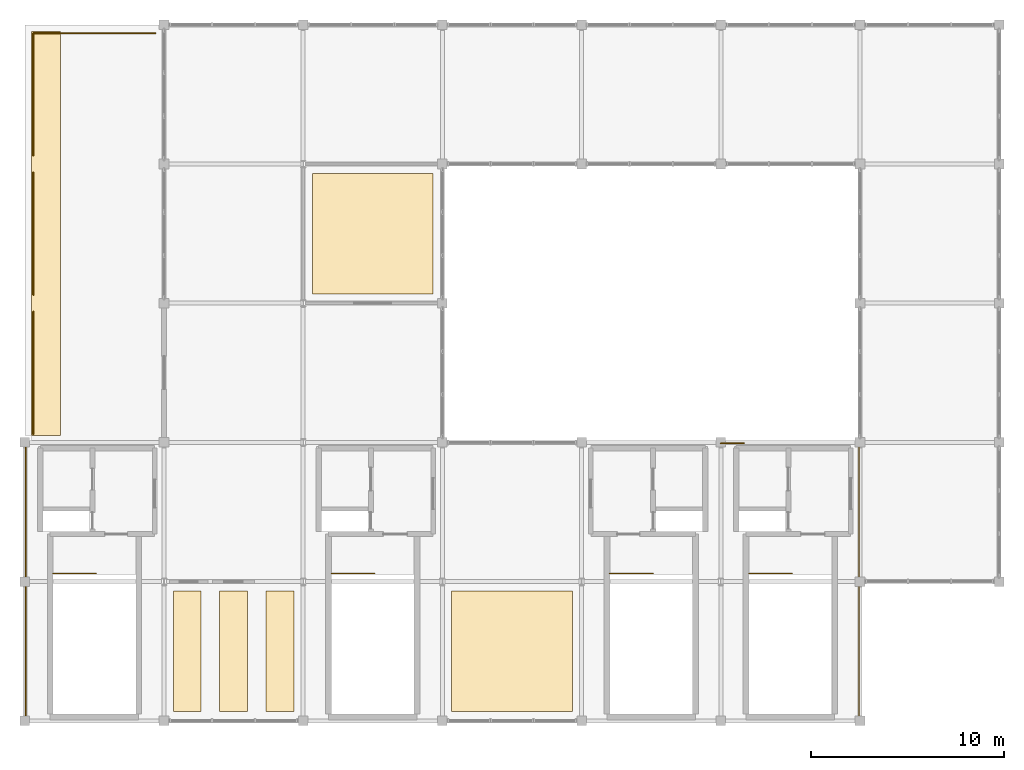
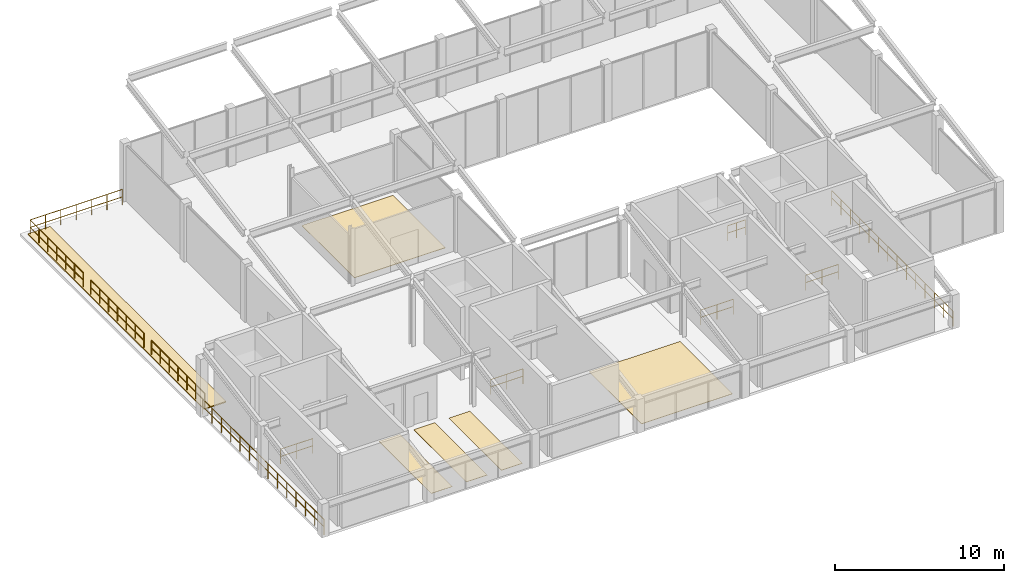
# One storey, part 16 of 16: 11 railings, 6 coverings.
"""IFC4 building model written with IfcOpenShell, lengths in metres."""

from ifc_helpers import new_model, si_unit, direction, frame, origin, origin_2d, place, context, subcontext, project, spatial, polyline, circle, outline, extrude, material, layer, layer_set, type_object, element, save


model = new_model("IFC4")

# Units and contexts
model_context = context("Model", 3, precision=1e-05, world=origin(), true_north=direction((0.0, 1.0)))
body_context = subcontext(model_context, "Body", "Model", "MODEL_VIEW")
ifc_project = project(units=[si_unit("LENGTHUNIT", "METRE"), si_unit("AREAUNIT", "SQUARE_METRE"), si_unit("VOLUMEUNIT", "CUBIC_METRE"), si_unit("PLANEANGLEUNIT", "RADIAN"), si_unit("MASSUNIT", "GRAM", prefix="KILO")], contexts=[model_context])

# Site, building, storey
site_placement = place(None, origin())
site = spatial("IfcSite", under=ifc_project, at=site_placement, CompositionType="ELEMENT")
building_placement = place(site_placement, origin())
building = spatial("IfcBuilding", under=site, at=building_placement, Name="Sillqori Civic Hall", CompositionType="ELEMENT")
storey_placement = place(building_placement, frame((0.0, 0.0, 25.800048828125)))
storey = spatial("IfcBuildingStorey", under=building, at=storey_placement, Name="L07", CompositionType="ELEMENT", Elevation=25.800048828125)

# Coverings
ifc_material_1 = material(Name="Slip-Resistant R11 Porcelain Tile", Category="ceramic")
ifc_layer_1 = layer(ifc_material_1, 0.02001953125)
ifc_layer_set_1 = layer_set([ifc_layer_1], Name="Slip-Resistant R11 Porcelain Tile")
covering_type_1 = type_object("IfcCoveringType", Name="COV-FLR-POR", PredefinedType="FLOORING", material=ifc_layer_set_1)
covering_1_placement = place(storey_placement, origin())
element("IfcCovering", 1, at=covering_1_placement, inside=storey, type_object=covering_type_1, Name="L07 Public Male WC floor finish", PredefinedType="FLOORING", context=body_context, shape_type="SweptSolid", body=[
    extrude(outline(polyline([(58.080078125, 79.679931640625), (59.52001953125, 79.679931640625), (59.52001953125, 85.919921875), (58.080078125, 85.919921875), (58.080078125, 79.679931640625)])), origin(), (0.0, 0.0, 1.0), 0.02001953125),
])
covering_2_placement = place(storey_placement, origin())
element("IfcCovering", 2, at=covering_2_placement, inside=storey, type_object=covering_type_1, Name="L07 Public Female WC floor finish", PredefinedType="FLOORING", context=body_context, shape_type="SweptSolid", body=[
    extrude(outline(polyline([(60.47998046875, 79.679931640625), (61.919921875, 79.679931640625), (61.919921875, 85.919921875), (60.47998046875, 85.919921875), (60.47998046875, 79.679931640625)])), origin(), (0.0, 0.0, 1.0), 0.02001953125),
])
covering_3_placement = place(storey_placement, origin())
element("IfcCovering", 3, at=covering_3_placement, inside=storey, type_object=covering_type_1, Name="L07 Accessible WC floor finish", PredefinedType="FLOORING", context=body_context, shape_type="SweptSolid", body=[
    extrude(outline(polyline([(62.8798828125, 79.679931640625), (64.320068359375, 79.679931640625), (64.320068359375, 85.919921875), (62.8798828125, 85.919921875), (62.8798828125, 79.679931640625)])), origin(), (0.0, 0.0, 1.0), 0.02001953125),
])
ifc_material_2 = material(Name="Engineered Tajibo Hardwood Flooring", Category="wood")
ifc_layer_2 = layer(ifc_material_2, 0.02587890625)
ifc_layer_set_2 = layer_set([ifc_layer_2], Name="Engineered Tajibo Hardwood Flooring")
covering_type_2 = type_object("IfcCoveringType", Name="COV-FLR-PRQ", PredefinedType="FLOORING", material=ifc_layer_set_2)
covering_4_placement = place(storey_placement, origin())
element("IfcCovering", 4, at=covering_4_placement, inside=storey, type_object=covering_type_2, Name="Municipal Emergency Situation Room floor finish", PredefinedType="FLOORING", context=body_context, shape_type="SweptSolid", body=[
    extrude(outline(polyline([(72.47998046875, 79.679931640625), (78.719970703125, 79.679931640625), (78.719970703125, 85.919921875), (72.47998046875, 85.919921875), (72.47998046875, 79.679931640625)])), origin(), (0.0, 0.0, 1.0), 0.02587890625),
])
ifc_material_3 = material(Name="Honed Cochabamba Limestone Terrazzo", Category="masonry")
ifc_layer_3 = layer(ifc_material_3, 0.031982421875)
ifc_layer_set_3 = layer_set([ifc_layer_3], Name="Honed Cochabamba Limestone Terrazzo")
covering_type_3 = type_object("IfcCoveringType", Name="COV-FLR-TRZ", PredefinedType="FLOORING", material=ifc_layer_set_3)
covering_5_placement = place(storey_placement, origin())
element("IfcCovering", 5, at=covering_5_placement, inside=storey, type_object=covering_type_3, Name="Civic Observatory Panorama Gallery floor finish", PredefinedType="FLOORING", context=body_context, shape_type="SweptSolid", body=[
    extrude(outline(polyline([(65.280029296875, 101.280029296875), (71.52001953125, 101.280029296875), (71.52001953125, 107.52001953125), (65.280029296875, 107.52001953125), (65.280029296875, 101.280029296875)])), origin(), (0.0, 0.0, 1.0), 0.031982421875),
])
ifc_material_4 = material(Name="Extensive Andean Sedum Roof Substrate", Category="earth")
ifc_layer_4 = layer(ifc_material_4, 0.080078125)
ifc_layer_set_4 = layer_set([ifc_layer_4], Name="Extensive Andean Sedum Roof Substrate")
covering_type_4 = type_object("IfcCoveringType", Name="COV-ROOF-GRN", PredefinedType="ROOFING", material=ifc_layer_set_4)
covering_6_placement = place(storey_placement, origin())
element("IfcCovering", 6, at=covering_6_placement, inside=storey, type_object=covering_type_4, Name="Observatory West Setback Terrace planted planter bed", PredefinedType="ROOFING", context=body_context, shape_type="SweptSolid", body=[
    extrude(outline(polyline([(50.75, 93.949951171875), (52.25, 93.949951171875), (52.25, 114.85009765625), (50.75, 114.85009765625), (50.75, 93.949951171875)])), origin(), (0.0, 0.0, 1.0), 0.079833984375),
])

# Railings
ifc_material_5 = material(Name="Galvanized Painted Steel Guardrail", Category="steel")
ifc_layer_5 = layer(ifc_material_5, 0.050048828125)
ifc_layer_set_5 = layer_set([ifc_layer_5], Name="Galvanized Painted Steel Guardrail")
railing_type_1 = type_object("IfcRailingType", Name="RLG-CORE-110", PredefinedType="GUARDRAIL", material=ifc_layer_set_5)
for number, where, name in (
    (7, (51.860107421875, 86.820068359375, 0.0), "L07 ST-05 top well guard 1"),
    (8, (66.260009765625, 86.820068359375, 0.0), "L07 ST-06 top well guard 1"),
    (9, (80.659912109375, 86.820068359375, 0.0), "L07 ST-07 top well guard 1"),
    (10, (87.860107421875, 86.820068359375, 0.0), "L07 ST-08 top well guard 1"),
):
    element("IfcRailing", number, at=place(storey_placement, frame(where)), inside=storey, type_object=railing_type_1, Name=name, PredefinedType="GUARDRAIL", context=body_context, shape_type="SweptSolid", body=[
        extrude(circle(Radius=0.02392578125, at=origin_2d()), frame((0.0, 0.0, 1.076171875), z_axis=(1.0, 0.0, 0.0), x_axis=(0.0, 1.0, 0.0)), (0.0, 0.0, 1.0), 2.219970703125),
        extrude(circle(Radius=0.02392578125, at=origin_2d()), frame((0.0, 0.0, 0.550048828125), z_axis=(1.0, 0.0, 0.0), x_axis=(0.0, 1.0, 0.0)), (0.0, 0.0, 1.0), 2.219970703125),
        extrude(circle(Radius=0.02099609375, at=origin_2d()), origin(), (0.0, 0.0, 1.0), 1.052001953125),
        extrude(circle(Radius=0.02099609375, at=origin_2d()), frame((1.10986328125, 0.0, 0.0)), (0.0, 0.0, 1.0), 1.052001953125),
        extrude(circle(Radius=0.02099609375, at=origin_2d()), frame((2.219970703125, 0.0, 0.0)), (0.0, 0.0, 1.0), 1.052001953125),
    ])
ifc_material_6 = material(Name="Stainless Steel 316 and Laminated Balustrade", Category="steel")
ifc_layer_6 = layer(ifc_material_6, 0.06005859375)
ifc_layer_set_6 = layer_set([ifc_layer_6], Name="Stainless Steel 316 and Laminated Balustrade")
railing_type_2 = type_object("IfcRailingType", Name="RLG-TERR-112", PredefinedType="GUARDRAIL", material=ifc_layer_set_6)
railing_1_placement = place(storey_placement, frame((50.840087890625, 114.760009765625, 0.0)))
element("IfcRailing", 11, at=railing_1_placement, inside=storey, type_object=railing_type_2, Name="Observatory West Setback Terrace perimeter guard N-01", PredefinedType="GUARDRAIL", context=body_context, shape_type="SweptSolid", body=[
    extrude(circle(Radius=0.02392578125, at=origin_2d()), frame((0.0, 0.0, 1.09619140625), z_axis=(1.0, 0.0, 0.0), x_axis=(0.0, 1.0, 0.0)), (0.0, 0.0, 1.0), 6.31982421875),
    extrude(circle(Radius=0.02392578125, at=origin_2d()), frame((0.0, 0.0, 0.56005859375), z_axis=(1.0, 0.0, 0.0), x_axis=(0.0, 1.0, 0.0)), (0.0, 0.0, 1.0), 6.31982421875),
    extrude(circle(Radius=0.02099609375, at=origin_2d()), origin(), (0.0, 0.0, 1.0), 1.072021484375),
    extrude(circle(Radius=0.02099609375, at=origin_2d()), frame((1.05322265625, 0.0, 0.0)), (0.0, 0.0, 1.0), 1.072021484375),
    extrude(circle(Radius=0.02099609375, at=origin_2d()), frame((2.106689453125, 0.0, 0.0)), (0.0, 0.0, 1.0), 1.072021484375),
    extrude(circle(Radius=0.02099609375, at=origin_2d()), frame((3.159912109375, 0.0, 0.0)), (0.0, 0.0, 1.0), 1.072021484375),
    extrude(circle(Radius=0.02099609375, at=origin_2d()), frame((4.213134765625, 0.0, 0.0)), (0.0, 0.0, 1.0), 1.072021484375),
    extrude(circle(Radius=0.02099609375, at=origin_2d()), frame((5.2666015625, 0.0, 0.0)), (0.0, 0.0, 1.0), 1.072021484375),
    extrude(circle(Radius=0.02099609375, at=origin_2d()), frame((6.31982421875, 0.0, 0.0)), (0.0, 0.0, 1.0), 1.072021484375),
])
for number, where, name in (
    (12, (50.840087890625, 94.0400390625, 0.0), "Observatory West Setback Terrace perimeter guard W-02"),
    (13, (50.840087890625, 101.239990234375, 0.0), "Observatory West Setback Terrace perimeter guard W-03"),
    (14, (50.840087890625, 108.43994140625, 0.0), "Observatory West Setback Terrace perimeter guard W-04"),
):
    element("IfcRailing", number, at=place(storey_placement, frame(where)), inside=storey, type_object=railing_type_2, Name=name, PredefinedType="GUARDRAIL", context=body_context, shape_type="SweptSolid", body=[
        extrude(circle(Radius=0.02392578125, at=origin_2d()), frame((0.0, 0.0, 1.09619140625), z_axis=(0.0, 1.0, 0.0), x_axis=(-1.0, 0.0, 0.0)), (0.0, 0.0, 1.0), 6.320068359375),
        extrude(circle(Radius=0.02392578125, at=origin_2d()), frame((0.0, 0.0, 0.56005859375), z_axis=(0.0, 1.0, 0.0), x_axis=(-1.0, 0.0, 0.0)), (0.0, 0.0, 1.0), 6.320068359375),
        extrude(circle(Radius=0.02099609375, at=origin_2d()), origin(), (0.0, 0.0, 1.0), 1.072021484375),
        extrude(circle(Radius=0.02099609375, at=origin_2d()), frame((0.0, 1.05322265625, 0.0)), (0.0, 0.0, 1.0), 1.072021484375),
        extrude(circle(Radius=0.02099609375, at=origin_2d()), frame((0.0, 2.106689453125, 0.0)), (0.0, 0.0, 1.0), 1.072021484375),
        extrude(circle(Radius=0.02099609375, at=origin_2d()), frame((0.0, 3.16015625, 0.0)), (0.0, 0.0, 1.0), 1.072021484375),
        extrude(circle(Radius=0.02099609375, at=origin_2d()), frame((0.0, 4.21337890625, 0.0)), (0.0, 0.0, 1.0), 1.072021484375),
        extrude(circle(Radius=0.02099609375, at=origin_2d()), frame((0.0, 5.2666015625, 0.0)), (0.0, 0.0, 1.0), 1.072021484375),
        extrude(circle(Radius=0.02099609375, at=origin_2d()), frame((0.0, 6.320068359375, 0.0)), (0.0, 0.0, 1.0), 1.072021484375),
    ])
railing_2_placement = place(storey_placement, frame((50.449951171875, 79.199951171875, 0.0)))
element("IfcRailing", 15, at=railing_2_placement, inside=storey, type_object=railing_type_2, Name="L07 west core C5 perimeter guardrail", PredefinedType="GUARDRAIL", context=body_context, shape_type="SweptSolid", body=[
    extrude(circle(Radius=0.02392578125, at=origin_2d()), frame((0.0, 0.0, 1.09619140625), z_axis=(0.0, 1.0, 0.0), x_axis=(-1.0, 0.0, 0.0)), (0.0, 0.0, 1.0), 14.400146484375),
    extrude(circle(Radius=0.02392578125, at=origin_2d()), frame((0.0, 0.0, 0.56005859375), z_axis=(0.0, 1.0, 0.0), x_axis=(-1.0, 0.0, 0.0)), (0.0, 0.0, 1.0), 14.400146484375),
    extrude(circle(Radius=0.02099609375, at=origin_2d()), origin(), (0.0, 0.0, 1.0), 1.072021484375),
    extrude(circle(Radius=0.02099609375, at=origin_2d()), frame((0.0, 1.107666015625, 0.0)), (0.0, 0.0, 1.0), 1.072021484375),
    extrude(circle(Radius=0.02099609375, at=origin_2d()), frame((0.0, 2.21533203125, 0.0)), (0.0, 0.0, 1.0), 1.072021484375),
    extrude(circle(Radius=0.02099609375, at=origin_2d()), frame((0.0, 3.322998046875, 0.0)), (0.0, 0.0, 1.0), 1.072021484375),
    extrude(circle(Radius=0.02099609375, at=origin_2d()), frame((0.0, 4.430908203125, 0.0)), (0.0, 0.0, 1.0), 1.072021484375),
    extrude(circle(Radius=0.02099609375, at=origin_2d()), frame((0.0, 5.53857421875, 0.0)), (0.0, 0.0, 1.0), 1.072021484375),
    extrude(circle(Radius=0.02099609375, at=origin_2d()), frame((0.0, 6.646240234375, 0.0)), (0.0, 0.0, 1.0), 1.072021484375),
    extrude(circle(Radius=0.02099609375, at=origin_2d()), frame((0.0, 7.75390625, 0.0)), (0.0, 0.0, 1.0), 1.072021484375),
    extrude(circle(Radius=0.02099609375, at=origin_2d()), frame((0.0, 8.861572265625, 0.0)), (0.0, 0.0, 1.0), 1.072021484375),
    extrude(circle(Radius=0.02099609375, at=origin_2d()), frame((0.0, 9.96923828125, 0.0)), (0.0, 0.0, 1.0), 1.072021484375),
    extrude(circle(Radius=0.02099609375, at=origin_2d()), frame((0.0, 11.0771484375, 0.0)), (0.0, 0.0, 1.0), 1.072021484375),
    extrude(circle(Radius=0.02099609375, at=origin_2d()), frame((0.0, 12.184814453125, 0.0)), (0.0, 0.0, 1.0), 1.072021484375),
    extrude(circle(Radius=0.02099609375, at=origin_2d()), frame((0.0, 13.29248046875, 0.0)), (0.0, 0.0, 1.0), 1.072021484375),
    extrude(circle(Radius=0.02099609375, at=origin_2d()), frame((0.0, 14.400146484375, 0.0)), (0.0, 0.0, 1.0), 1.072021484375),
])
railing_3_placement = place(storey_placement, frame((93.550048828125, 79.199951171875, 0.0)))
element("IfcRailing", 16, at=railing_3_placement, inside=storey, type_object=railing_type_2, Name="L07 east core C8 perimeter guardrail", PredefinedType="GUARDRAIL", context=body_context, shape_type="SweptSolid", body=[
    extrude(circle(Radius=0.02392578125, at=origin_2d()), frame((0.0, 0.0, 1.09619140625), z_axis=(0.0, 1.0, 0.0), x_axis=(-1.0, 0.0, 0.0)), (0.0, 0.0, 1.0), 14.400146484375),
    extrude(circle(Radius=0.02392578125, at=origin_2d()), frame((0.0, 0.0, 0.56005859375), z_axis=(0.0, 1.0, 0.0), x_axis=(-1.0, 0.0, 0.0)), (0.0, 0.0, 1.0), 14.400146484375),
    extrude(circle(Radius=0.02099609375, at=origin_2d()), origin(), (0.0, 0.0, 1.0), 1.072021484375),
    extrude(circle(Radius=0.02099609375, at=origin_2d()), frame((0.0, 1.107666015625, 0.0)), (0.0, 0.0, 1.0), 1.072021484375),
    extrude(circle(Radius=0.02099609375, at=origin_2d()), frame((0.0, 2.21533203125, 0.0)), (0.0, 0.0, 1.0), 1.072021484375),
    extrude(circle(Radius=0.02099609375, at=origin_2d()), frame((0.0, 3.322998046875, 0.0)), (0.0, 0.0, 1.0), 1.072021484375),
    extrude(circle(Radius=0.02099609375, at=origin_2d()), frame((0.0, 4.430908203125, 0.0)), (0.0, 0.0, 1.0), 1.072021484375),
    extrude(circle(Radius=0.02099609375, at=origin_2d()), frame((0.0, 5.53857421875, 0.0)), (0.0, 0.0, 1.0), 1.072021484375),
    extrude(circle(Radius=0.02099609375, at=origin_2d()), frame((0.0, 6.646240234375, 0.0)), (0.0, 0.0, 1.0), 1.072021484375),
    extrude(circle(Radius=0.02099609375, at=origin_2d()), frame((0.0, 7.75390625, 0.0)), (0.0, 0.0, 1.0), 1.072021484375),
    extrude(circle(Radius=0.02099609375, at=origin_2d()), frame((0.0, 8.861572265625, 0.0)), (0.0, 0.0, 1.0), 1.072021484375),
    extrude(circle(Radius=0.02099609375, at=origin_2d()), frame((0.0, 9.96923828125, 0.0)), (0.0, 0.0, 1.0), 1.072021484375),
    extrude(circle(Radius=0.02099609375, at=origin_2d()), frame((0.0, 11.0771484375, 0.0)), (0.0, 0.0, 1.0), 1.072021484375),
    extrude(circle(Radius=0.02099609375, at=origin_2d()), frame((0.0, 12.184814453125, 0.0)), (0.0, 0.0, 1.0), 1.072021484375),
    extrude(circle(Radius=0.02099609375, at=origin_2d()), frame((0.0, 13.29248046875, 0.0)), (0.0, 0.0, 1.0), 1.072021484375),
    extrude(circle(Radius=0.02099609375, at=origin_2d()), frame((0.0, 14.400146484375, 0.0)), (0.0, 0.0, 1.0), 1.072021484375),
])
railing_4_placement = place(storey_placement, frame((86.39990234375, 93.550048828125, 0.0)))
element("IfcRailing", 17, at=railing_4_placement, inside=storey, type_object=railing_type_2, Name="L07 north core C8 corner guardrail", PredefinedType="GUARDRAIL", context=body_context, shape_type="SweptSolid", body=[
    extrude(circle(Radius=0.02392578125, at=origin_2d()), frame((0.0, 0.0, 1.09619140625), z_axis=(1.0, 0.0, 0.0), x_axis=(0.0, 1.0, 0.0)), (0.0, 0.0, 1.0), 1.2001953125),
    extrude(circle(Radius=0.02392578125, at=origin_2d()), frame((0.0, 0.0, 0.56005859375), z_axis=(1.0, 0.0, 0.0), x_axis=(0.0, 1.0, 0.0)), (0.0, 0.0, 1.0), 1.2001953125),
    extrude(circle(Radius=0.02099609375, at=origin_2d()), origin(), (0.0, 0.0, 1.0), 1.072021484375),
    extrude(circle(Radius=0.02099609375, at=origin_2d()), frame((0.60009765625, 0.0, 0.0)), (0.0, 0.0, 1.0), 1.072021484375),
    extrude(circle(Radius=0.02099609375, at=origin_2d()), frame((1.2001953125, 0.0, 0.0)), (0.0, 0.0, 1.0), 1.072021484375),
])

save(model, "model.ifc")
